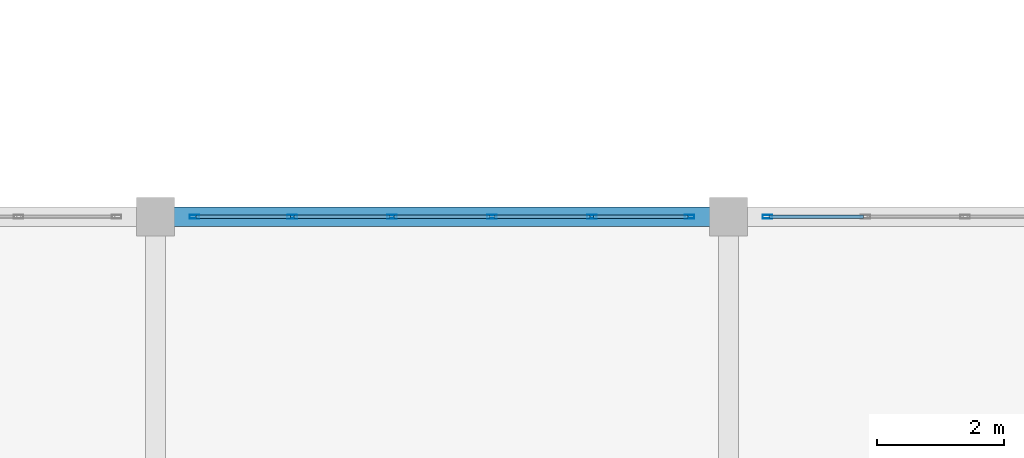
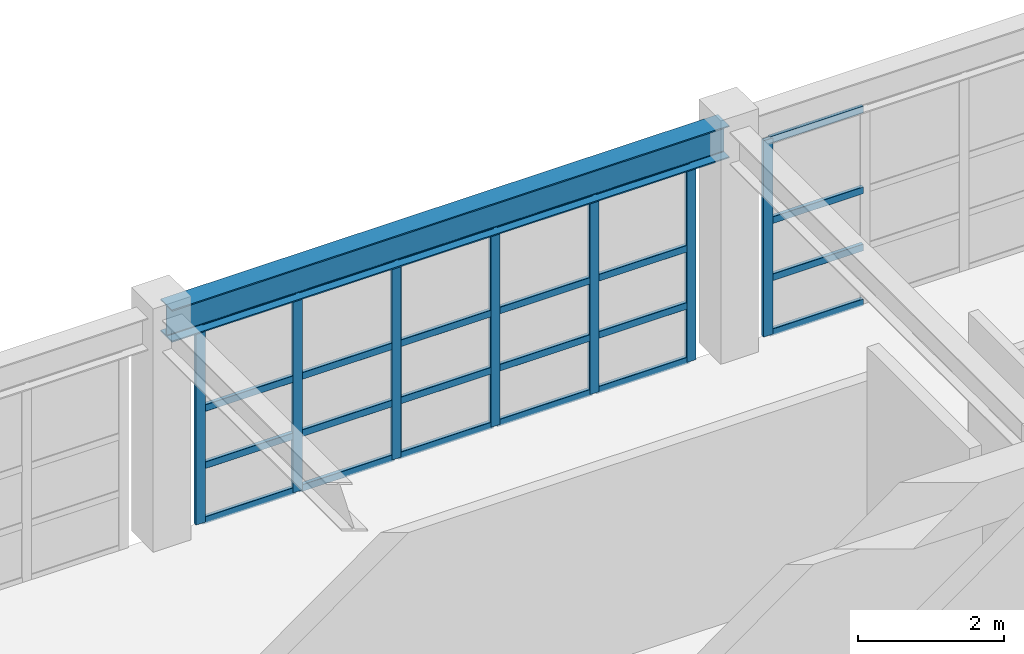
# One storey, part 54 of 110: 31 members, 1 beam, 2 elements without a shape of their own.
"""IFC4 building model written with IfcOpenShell, lengths in metres."""

from ifc_helpers import new_model, si_unit, direction, frame, origin, origin_2d, place, context, subcontext, project, spatial, hollow_rectangle, i_section, extrude, material, material_profile, profile_set, type_object, element, aggregate, save


model = new_model("IFC4")

# Units and contexts
model_context = context("Model", 3, precision=1e-05, world=origin(), true_north=direction((0.0, 1.0)))
body_context = subcontext(model_context, "Body", "Model", "MODEL_VIEW")
ifc_project = project(units=[si_unit("LENGTHUNIT", "METRE"), si_unit("AREAUNIT", "SQUARE_METRE"), si_unit("VOLUMEUNIT", "CUBIC_METRE"), si_unit("PLANEANGLEUNIT", "RADIAN"), si_unit("MASSUNIT", "GRAM", prefix="KILO")], contexts=[model_context])

# Site, building, storey
site_placement = place(None, origin())
site = spatial("IfcSite", under=ifc_project, at=site_placement, CompositionType="ELEMENT")
building_placement = place(site_placement, origin())
building = spatial("IfcBuilding", under=site, at=building_placement, Name="Miravela Opera House", CompositionType="ELEMENT")
storey_placement = place(building_placement, frame((0.0, 0.0, 13.60009765625)))
storey = spatial("IfcBuildingStorey", under=building, at=storey_placement, Name="L03", CompositionType="ELEMENT", Elevation=13.60009765625)

# Curtain wall, members
ifc_material_1 = material(Name="Anodised architectural bronze aluminium 6063-T6", Category="aluminium")
curtain_wall_type = type_object("IfcCurtainWallType", Name="ARC-CW-05", PredefinedType="NOTDEFINED", material=ifc_material_1)
curtain_wall_1_placement = place(storey_placement, origin())
curtain_wall_1 = element("IfcCurtainWall", 1, at=curtain_wall_1_placement, inside=storey, type_object=curtain_wall_type, Name="Courtyard Arcade Curtain Wall CW-L03-103", PredefinedType="NOTDEFINED")
ifc_material_profile_1 = material_profile(ifc_material_1, hollow_rectangle(XDim=0.06005859375, YDim=0.14990234375, WallThickness=0.00390625, InnerFilletRadius=0.001953125, OuterFilletRadius=0.00390625, at=origin_2d()), Name="CWM-60X150")
ifc_profile_set_1 = profile_set([ifc_material_profile_1])
member_type_1 = type_object("IfcMemberType", Name="ARC-CWM-150", PredefinedType="MULLION", material=ifc_profile_set_1)
member_1_placement = place(storey_placement, frame((36.610107421875, 84.0, 0.0), z_axis=(0.0, 0.0, 1.0), x_axis=(0.0, 1.0, 0.0)))
member_1 = element("IfcMember", 2, at=member_1_placement, type_object=member_type_1, Name="CW-05 mullion 1", PredefinedType="MULLION", context=body_context, shape_type="SweptSolid", body=[
    extrude(hollow_rectangle(XDim=0.06005859375, YDim=0.14990234375, WallThickness=0.00390625, InnerFilletRadius=0.001953125, OuterFilletRadius=0.00390625, at=origin_2d()), origin(), (0.0, 0.0, 1.0), 3.289794921875),
])
member_2_placement = place(storey_placement, frame((38.14794921875, 84.0, 0.0), z_axis=(0.0, 0.0, 1.0), x_axis=(0.0, 1.0, 0.0)))
member_2 = element("IfcMember", 3, at=member_2_placement, type_object=member_type_1, Name="CW-05 mullion 2", PredefinedType="MULLION", context=body_context, shape_type="SweptSolid", body=[
    extrude(hollow_rectangle(XDim=0.06005859375, YDim=0.14990234375, WallThickness=0.00390625, InnerFilletRadius=0.001953125, OuterFilletRadius=0.00390625, at=origin_2d()), origin(), (0.0, 0.0, 1.0), 3.289794921875),
])
member_3_placement = place(storey_placement, frame((39.716064453125, 84.0, 0.0), z_axis=(0.0, 0.0, 1.0), x_axis=(0.0, 1.0, 0.0)))
member_3 = element("IfcMember", 4, at=member_3_placement, type_object=member_type_1, Name="CW-05 mullion 3", PredefinedType="MULLION", context=body_context, shape_type="SweptSolid", body=[
    extrude(hollow_rectangle(XDim=0.06005859375, YDim=0.14990234375, WallThickness=0.00390625, InnerFilletRadius=0.001953125, OuterFilletRadius=0.00390625, at=origin_2d()), origin(), (0.0, 0.0, 1.0), 3.289794921875),
])
member_4_placement = place(storey_placement, frame((41.283935546875, 84.0, 0.0), z_axis=(0.0, 0.0, 1.0), x_axis=(0.0, 1.0, 0.0)))
member_4 = element("IfcMember", 5, at=member_4_placement, type_object=member_type_1, Name="CW-05 mullion 4", PredefinedType="MULLION", context=body_context, shape_type="SweptSolid", body=[
    extrude(hollow_rectangle(XDim=0.06005859375, YDim=0.14990234375, WallThickness=0.00390625, InnerFilletRadius=0.001953125, OuterFilletRadius=0.00390625, at=origin_2d()), origin(), (0.0, 0.0, 1.0), 3.289794921875),
])
member_5_placement = place(storey_placement, frame((42.85205078125, 84.0, 0.0), z_axis=(0.0, 0.0, 1.0), x_axis=(0.0, 1.0, 0.0)))
member_5 = element("IfcMember", 6, at=member_5_placement, type_object=member_type_1, Name="CW-05 mullion 5", PredefinedType="MULLION", context=body_context, shape_type="SweptSolid", body=[
    extrude(hollow_rectangle(XDim=0.06005859375, YDim=0.14990234375, WallThickness=0.00390625, InnerFilletRadius=0.001953125, OuterFilletRadius=0.00390625, at=origin_2d()), origin(), (0.0, 0.0, 1.0), 3.289794921875),
])
member_6_placement = place(storey_placement, frame((44.389892578125, 84.0, 0.0), z_axis=(0.0, 0.0, 1.0), x_axis=(0.0, 1.0, 0.0)))
member_6 = element("IfcMember", 7, at=member_6_placement, type_object=member_type_1, Name="CW-05 mullion 6", PredefinedType="MULLION", context=body_context, shape_type="SweptSolid", body=[
    extrude(hollow_rectangle(XDim=0.06005859375, YDim=0.14990234375, WallThickness=0.00390625, InnerFilletRadius=0.001953125, OuterFilletRadius=0.00390625, at=origin_2d()), origin(), (0.0, 0.0, 1.0), 3.289794921875),
])

# Curtain wall, member
curtain_wall_2_placement = place(storey_placement, origin())
curtain_wall_2 = element("IfcCurtainWall", 8, at=curtain_wall_2_placement, inside=storey, type_object=curtain_wall_type, Name="Courtyard Arcade Curtain Wall CW-L03-105", PredefinedType="NOTDEFINED")
member_7_placement = place(storey_placement, frame((45.610107421875, 84.0, 0.0), z_axis=(0.0, 0.0, 1.0), x_axis=(0.0, 1.0, 0.0)))
member_7 = element("IfcMember", 9, at=member_7_placement, type_object=member_type_1, Name="CW-05 mullion 1", PredefinedType="MULLION", context=body_context, shape_type="SweptSolid", body=[
    extrude(hollow_rectangle(XDim=0.06005859375, YDim=0.14990234375, WallThickness=0.00390625, InnerFilletRadius=0.001953125, OuterFilletRadius=0.00390625, at=origin_2d()), origin(), (0.0, 0.0, 1.0), 3.289794921875),
])

# Member
ifc_material_profile_2 = material_profile(ifc_material_1, hollow_rectangle(XDim=0.06005859375, YDim=0.114990234375, WallThickness=0.00390625, InnerFilletRadius=0.001953125, OuterFilletRadius=0.00390625, at=origin_2d()), Name="CWT-60X115")
ifc_profile_set_2 = profile_set([ifc_material_profile_2])
member_type_2 = type_object("IfcMemberType", Name="ARC-CWT-115", PredefinedType="USERDEFINED", material=ifc_profile_set_2)
member_8_placement = place(storey_placement, frame((36.639892578125, 84.0, 0.02978515625), z_axis=(1.0, 0.0, 0.0), x_axis=(0.0, 1.0, 0.0)))
member_8 = element("IfcMember", 10, at=member_8_placement, type_object=member_type_2, Name="CW-05 transom 1.1", ObjectType="TRANSOM", PredefinedType="USERDEFINED", context=body_context, shape_type="SweptSolid", body=[
    extrude(hollow_rectangle(XDim=0.06005859375, YDim=0.114990234375, WallThickness=0.00390625, InnerFilletRadius=0.001953125, OuterFilletRadius=0.00390625, at=origin_2d()), origin(), (0.0, 0.0, 1.0), 1.47802734375),
])

member_9_placement = place(storey_placement, frame((36.639892578125, 84.0, 0.949951171875), z_axis=(1.0, 0.0, 0.0), x_axis=(0.0, 1.0, 0.0)))
member_9 = element("IfcMember", 11, at=member_9_placement, type_object=member_type_2, Name="CW-05 transom 1.2", ObjectType="TRANSOM", PredefinedType="USERDEFINED", context=body_context, shape_type="SweptSolid", body=[
    extrude(hollow_rectangle(XDim=0.06005859375, YDim=0.114990234375, WallThickness=0.00390625, InnerFilletRadius=0.001953125, OuterFilletRadius=0.00390625, at=origin_2d()), origin(), (0.0, 0.0, 1.0), 1.47802734375),
])

member_10_placement = place(storey_placement, frame((36.639892578125, 84.0, 1.908203125), z_axis=(1.0, 0.0, 0.0), x_axis=(0.0, 1.0, 0.0)))
member_10 = element("IfcMember", 12, at=member_10_placement, type_object=member_type_2, Name="CW-05 transom 1.3", ObjectType="TRANSOM", PredefinedType="USERDEFINED", context=body_context, shape_type="SweptSolid", body=[
    extrude(hollow_rectangle(XDim=0.06005859375, YDim=0.114990234375, WallThickness=0.00390625, InnerFilletRadius=0.001953125, OuterFilletRadius=0.00390625, at=origin_2d()), origin(), (0.0, 0.0, 1.0), 1.47802734375),
])

member_11_placement = place(storey_placement, frame((36.639892578125, 84.0, 3.260009765625), z_axis=(1.0, 0.0, 0.0), x_axis=(0.0, 1.0, 0.0)))
member_11 = element("IfcMember", 13, at=member_11_placement, type_object=member_type_2, Name="CW-05 transom 1.4", ObjectType="TRANSOM", PredefinedType="USERDEFINED", context=body_context, shape_type="SweptSolid", body=[
    extrude(hollow_rectangle(XDim=0.06005859375, YDim=0.114990234375, WallThickness=0.00390625, InnerFilletRadius=0.001953125, OuterFilletRadius=0.00390625, at=origin_2d()), origin(), (0.0, 0.0, 1.0), 1.47802734375),
])

member_12_placement = place(storey_placement, frame((38.177978515625, 84.0, 0.02978515625), z_axis=(1.0, 0.0, 0.0), x_axis=(0.0, 1.0, 0.0)))
member_12 = element("IfcMember", 14, at=member_12_placement, type_object=member_type_2, Name="CW-05 transom 2.1", ObjectType="TRANSOM", PredefinedType="USERDEFINED", context=body_context, shape_type="SweptSolid", body=[
    extrude(hollow_rectangle(XDim=0.06005859375, YDim=0.114990234375, WallThickness=0.00390625, InnerFilletRadius=0.001953125, OuterFilletRadius=0.00390625, at=origin_2d()), origin(), (0.0, 0.0, 1.0), 1.508056640625),
])

member_13_placement = place(storey_placement, frame((38.177978515625, 84.0, 0.949951171875), z_axis=(1.0, 0.0, 0.0), x_axis=(0.0, 1.0, 0.0)))
member_13 = element("IfcMember", 15, at=member_13_placement, type_object=member_type_2, Name="CW-05 transom 2.2", ObjectType="TRANSOM", PredefinedType="USERDEFINED", context=body_context, shape_type="SweptSolid", body=[
    extrude(hollow_rectangle(XDim=0.06005859375, YDim=0.114990234375, WallThickness=0.00390625, InnerFilletRadius=0.001953125, OuterFilletRadius=0.00390625, at=origin_2d()), origin(), (0.0, 0.0, 1.0), 1.508056640625),
])

member_14_placement = place(storey_placement, frame((38.177978515625, 84.0, 1.908203125), z_axis=(1.0, 0.0, 0.0), x_axis=(0.0, 1.0, 0.0)))
member_14 = element("IfcMember", 16, at=member_14_placement, type_object=member_type_2, Name="CW-05 transom 2.3", ObjectType="TRANSOM", PredefinedType="USERDEFINED", context=body_context, shape_type="SweptSolid", body=[
    extrude(hollow_rectangle(XDim=0.06005859375, YDim=0.114990234375, WallThickness=0.00390625, InnerFilletRadius=0.001953125, OuterFilletRadius=0.00390625, at=origin_2d()), origin(), (0.0, 0.0, 1.0), 1.508056640625),
])

member_15_placement = place(storey_placement, frame((38.177978515625, 84.0, 3.260009765625), z_axis=(1.0, 0.0, 0.0), x_axis=(0.0, 1.0, 0.0)))
member_15 = element("IfcMember", 17, at=member_15_placement, type_object=member_type_2, Name="CW-05 transom 2.4", ObjectType="TRANSOM", PredefinedType="USERDEFINED", context=body_context, shape_type="SweptSolid", body=[
    extrude(hollow_rectangle(XDim=0.06005859375, YDim=0.114990234375, WallThickness=0.00390625, InnerFilletRadius=0.001953125, OuterFilletRadius=0.00390625, at=origin_2d()), origin(), (0.0, 0.0, 1.0), 1.508056640625),
])

member_16_placement = place(storey_placement, frame((39.74609375, 84.0, 0.02978515625), z_axis=(1.0, 0.0, 0.0), x_axis=(0.0, 1.0, 0.0)))
member_16 = element("IfcMember", 18, at=member_16_placement, type_object=member_type_2, Name="CW-05 transom 3.1", ObjectType="TRANSOM", PredefinedType="USERDEFINED", context=body_context, shape_type="SweptSolid", body=[
    extrude(hollow_rectangle(XDim=0.06005859375, YDim=0.114990234375, WallThickness=0.00390625, InnerFilletRadius=0.001953125, OuterFilletRadius=0.00390625, at=origin_2d()), origin(), (0.0, 0.0, 1.0), 1.5078125),
])

member_17_placement = place(storey_placement, frame((39.74609375, 84.0, 0.949951171875), z_axis=(1.0, 0.0, 0.0), x_axis=(0.0, 1.0, 0.0)))
member_17 = element("IfcMember", 19, at=member_17_placement, type_object=member_type_2, Name="CW-05 transom 3.2", ObjectType="TRANSOM", PredefinedType="USERDEFINED", context=body_context, shape_type="SweptSolid", body=[
    extrude(hollow_rectangle(XDim=0.06005859375, YDim=0.114990234375, WallThickness=0.00390625, InnerFilletRadius=0.001953125, OuterFilletRadius=0.00390625, at=origin_2d()), origin(), (0.0, 0.0, 1.0), 1.5078125),
])

member_18_placement = place(storey_placement, frame((39.74609375, 84.0, 1.908203125), z_axis=(1.0, 0.0, 0.0), x_axis=(0.0, 1.0, 0.0)))
member_18 = element("IfcMember", 20, at=member_18_placement, type_object=member_type_2, Name="CW-05 transom 3.3", ObjectType="TRANSOM", PredefinedType="USERDEFINED", context=body_context, shape_type="SweptSolid", body=[
    extrude(hollow_rectangle(XDim=0.06005859375, YDim=0.114990234375, WallThickness=0.00390625, InnerFilletRadius=0.001953125, OuterFilletRadius=0.00390625, at=origin_2d()), origin(), (0.0, 0.0, 1.0), 1.5078125),
])

member_19_placement = place(storey_placement, frame((39.74609375, 84.0, 3.260009765625), z_axis=(1.0, 0.0, 0.0), x_axis=(0.0, 1.0, 0.0)))
member_19 = element("IfcMember", 21, at=member_19_placement, type_object=member_type_2, Name="CW-05 transom 3.4", ObjectType="TRANSOM", PredefinedType="USERDEFINED", context=body_context, shape_type="SweptSolid", body=[
    extrude(hollow_rectangle(XDim=0.06005859375, YDim=0.114990234375, WallThickness=0.00390625, InnerFilletRadius=0.001953125, OuterFilletRadius=0.00390625, at=origin_2d()), origin(), (0.0, 0.0, 1.0), 1.5078125),
])

member_20_placement = place(storey_placement, frame((41.31396484375, 84.0, 0.02978515625), z_axis=(1.0, 0.0, 0.0), x_axis=(0.0, 1.0, 0.0)))
member_20 = element("IfcMember", 22, at=member_20_placement, type_object=member_type_2, Name="CW-05 transom 4.1", ObjectType="TRANSOM", PredefinedType="USERDEFINED", context=body_context, shape_type="SweptSolid", body=[
    extrude(hollow_rectangle(XDim=0.06005859375, YDim=0.114990234375, WallThickness=0.00390625, InnerFilletRadius=0.001953125, OuterFilletRadius=0.00390625, at=origin_2d()), origin(), (0.0, 0.0, 1.0), 1.508056640625),
])

member_21_placement = place(storey_placement, frame((41.31396484375, 84.0, 0.949951171875), z_axis=(1.0, 0.0, 0.0), x_axis=(0.0, 1.0, 0.0)))
member_21 = element("IfcMember", 23, at=member_21_placement, type_object=member_type_2, Name="CW-05 transom 4.2", ObjectType="TRANSOM", PredefinedType="USERDEFINED", context=body_context, shape_type="SweptSolid", body=[
    extrude(hollow_rectangle(XDim=0.06005859375, YDim=0.114990234375, WallThickness=0.00390625, InnerFilletRadius=0.001953125, OuterFilletRadius=0.00390625, at=origin_2d()), origin(), (0.0, 0.0, 1.0), 1.508056640625),
])

member_22_placement = place(storey_placement, frame((41.31396484375, 84.0, 1.908203125), z_axis=(1.0, 0.0, 0.0), x_axis=(0.0, 1.0, 0.0)))
member_22 = element("IfcMember", 24, at=member_22_placement, type_object=member_type_2, Name="CW-05 transom 4.3", ObjectType="TRANSOM", PredefinedType="USERDEFINED", context=body_context, shape_type="SweptSolid", body=[
    extrude(hollow_rectangle(XDim=0.06005859375, YDim=0.114990234375, WallThickness=0.00390625, InnerFilletRadius=0.001953125, OuterFilletRadius=0.00390625, at=origin_2d()), origin(), (0.0, 0.0, 1.0), 1.508056640625),
])

member_23_placement = place(storey_placement, frame((41.31396484375, 84.0, 3.260009765625), z_axis=(1.0, 0.0, 0.0), x_axis=(0.0, 1.0, 0.0)))
member_23 = element("IfcMember", 25, at=member_23_placement, type_object=member_type_2, Name="CW-05 transom 4.4", ObjectType="TRANSOM", PredefinedType="USERDEFINED", context=body_context, shape_type="SweptSolid", body=[
    extrude(hollow_rectangle(XDim=0.06005859375, YDim=0.114990234375, WallThickness=0.00390625, InnerFilletRadius=0.001953125, OuterFilletRadius=0.00390625, at=origin_2d()), origin(), (0.0, 0.0, 1.0), 1.508056640625),
])

member_24_placement = place(storey_placement, frame((42.882080078125, 84.0, 0.02978515625), z_axis=(1.0, 0.0, 0.0), x_axis=(0.0, 1.0, 0.0)))
member_24 = element("IfcMember", 26, at=member_24_placement, type_object=member_type_2, Name="CW-05 transom 5.1", ObjectType="TRANSOM", PredefinedType="USERDEFINED", context=body_context, shape_type="SweptSolid", body=[
    extrude(hollow_rectangle(XDim=0.06005859375, YDim=0.114990234375, WallThickness=0.00390625, InnerFilletRadius=0.001953125, OuterFilletRadius=0.00390625, at=origin_2d()), origin(), (0.0, 0.0, 1.0), 1.47802734375),
])

member_25_placement = place(storey_placement, frame((42.882080078125, 84.0, 0.949951171875), z_axis=(1.0, 0.0, 0.0), x_axis=(0.0, 1.0, 0.0)))
member_25 = element("IfcMember", 27, at=member_25_placement, type_object=member_type_2, Name="CW-05 transom 5.2", ObjectType="TRANSOM", PredefinedType="USERDEFINED", context=body_context, shape_type="SweptSolid", body=[
    extrude(hollow_rectangle(XDim=0.06005859375, YDim=0.114990234375, WallThickness=0.00390625, InnerFilletRadius=0.001953125, OuterFilletRadius=0.00390625, at=origin_2d()), origin(), (0.0, 0.0, 1.0), 1.47802734375),
])

member_26_placement = place(storey_placement, frame((42.882080078125, 84.0, 1.908203125), z_axis=(1.0, 0.0, 0.0), x_axis=(0.0, 1.0, 0.0)))
member_26 = element("IfcMember", 28, at=member_26_placement, type_object=member_type_2, Name="CW-05 transom 5.3", ObjectType="TRANSOM", PredefinedType="USERDEFINED", context=body_context, shape_type="SweptSolid", body=[
    extrude(hollow_rectangle(XDim=0.06005859375, YDim=0.114990234375, WallThickness=0.00390625, InnerFilletRadius=0.001953125, OuterFilletRadius=0.00390625, at=origin_2d()), origin(), (0.0, 0.0, 1.0), 1.47802734375),
])

member_27_placement = place(storey_placement, frame((42.882080078125, 84.0, 3.260009765625), z_axis=(1.0, 0.0, 0.0), x_axis=(0.0, 1.0, 0.0)))
member_27 = element("IfcMember", 29, at=member_27_placement, type_object=member_type_2, Name="CW-05 transom 5.4", ObjectType="TRANSOM", PredefinedType="USERDEFINED", context=body_context, shape_type="SweptSolid", body=[
    extrude(hollow_rectangle(XDim=0.06005859375, YDim=0.114990234375, WallThickness=0.00390625, InnerFilletRadius=0.001953125, OuterFilletRadius=0.00390625, at=origin_2d()), origin(), (0.0, 0.0, 1.0), 1.47802734375),
])

aggregate(curtain_wall_1, [member_1, member_2, member_3, member_4, member_5, member_6, member_8, member_9, member_10, member_11, member_12, member_13, member_14, member_15, member_16, member_17, member_18, member_19, member_20, member_21, member_22, member_23, member_24, member_25, member_26, member_27])

member_28_placement = place(storey_placement, frame((45.639892578125, 84.0, 0.02978515625), z_axis=(1.0, 0.0, 0.0), x_axis=(0.0, 1.0, 0.0)))
member_28 = element("IfcMember", 30, at=member_28_placement, type_object=member_type_2, Name="CW-05 transom 1.1", ObjectType="TRANSOM", PredefinedType="USERDEFINED", context=body_context, shape_type="SweptSolid", body=[
    extrude(hollow_rectangle(XDim=0.06005859375, YDim=0.114990234375, WallThickness=0.00390625, InnerFilletRadius=0.001953125, OuterFilletRadius=0.00390625, at=origin_2d()), origin(), (0.0, 0.0, 1.0), 1.47802734375),
])

member_29_placement = place(storey_placement, frame((45.639892578125, 84.0, 0.949951171875), z_axis=(1.0, 0.0, 0.0), x_axis=(0.0, 1.0, 0.0)))
member_29 = element("IfcMember", 31, at=member_29_placement, type_object=member_type_2, Name="CW-05 transom 1.2", ObjectType="TRANSOM", PredefinedType="USERDEFINED", context=body_context, shape_type="SweptSolid", body=[
    extrude(hollow_rectangle(XDim=0.06005859375, YDim=0.114990234375, WallThickness=0.00390625, InnerFilletRadius=0.001953125, OuterFilletRadius=0.00390625, at=origin_2d()), origin(), (0.0, 0.0, 1.0), 1.47802734375),
])

member_30_placement = place(storey_placement, frame((45.639892578125, 84.0, 1.908203125), z_axis=(1.0, 0.0, 0.0), x_axis=(0.0, 1.0, 0.0)))
member_30 = element("IfcMember", 32, at=member_30_placement, type_object=member_type_2, Name="CW-05 transom 1.3", ObjectType="TRANSOM", PredefinedType="USERDEFINED", context=body_context, shape_type="SweptSolid", body=[
    extrude(hollow_rectangle(XDim=0.06005859375, YDim=0.114990234375, WallThickness=0.00390625, InnerFilletRadius=0.001953125, OuterFilletRadius=0.00390625, at=origin_2d()), origin(), (0.0, 0.0, 1.0), 1.47802734375),
])

member_31_placement = place(storey_placement, frame((45.639892578125, 84.0, 3.260009765625), z_axis=(1.0, 0.0, 0.0), x_axis=(0.0, 1.0, 0.0)))
member_31 = element("IfcMember", 33, at=member_31_placement, type_object=member_type_2, Name="CW-05 transom 1.4", ObjectType="TRANSOM", PredefinedType="USERDEFINED", context=body_context, shape_type="SweptSolid", body=[
    extrude(hollow_rectangle(XDim=0.06005859375, YDim=0.114990234375, WallThickness=0.00390625, InnerFilletRadius=0.001953125, OuterFilletRadius=0.00390625, at=origin_2d()), origin(), (0.0, 0.0, 1.0), 1.47802734375),
])

aggregate(curtain_wall_2, [member_7, member_28, member_29, member_30, member_31])

# Beam
ifc_material_2 = material(Name="Structural steel ASTM A992 Gr. 50", Category="steel")
ifc_material_profile_3 = material_profile(ifc_material_2, i_section(OverallWidth=0.31201171875, OverallDepth=0.54296875, WebThickness=0.0126953125, FlangeThickness=0.020263671875, FilletRadius=0.01611328125, at=origin_2d()), Name="W530X150")
ifc_profile_set_3 = profile_set([ifc_material_profile_3])
beam_type = type_object("IfcBeamType", Name="STR-BM-W530X150", PredefinedType="BEAM", material=ifc_profile_set_3)
beam_placement = place(storey_placement, frame((36.080078125, 84.0, 3.568359375), z_axis=(1.0, 0.0, 0.0), x_axis=(0.0, 1.0, 0.0)))
element("IfcBeam", 34, at=beam_placement, inside=storey, type_object=beam_type, Name="Roof Eave Girder ROOF-V3-WEST-S N3", PredefinedType="BEAM", context=body_context, shape_type="SweptSolid", body=[
    extrude(i_section(OverallWidth=0.31201171875, OverallDepth=0.54296875, WebThickness=0.0126953125, FlangeThickness=0.020263671875, FilletRadius=0.01611328125, at=origin_2d()), origin(), (0.0, 0.0, 1.0), 8.83984375),
])

save(model, "model.ifc")
